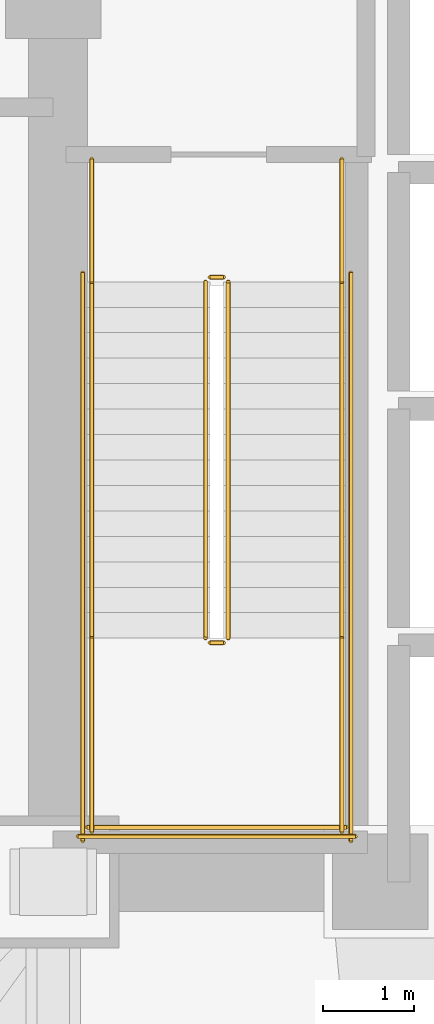
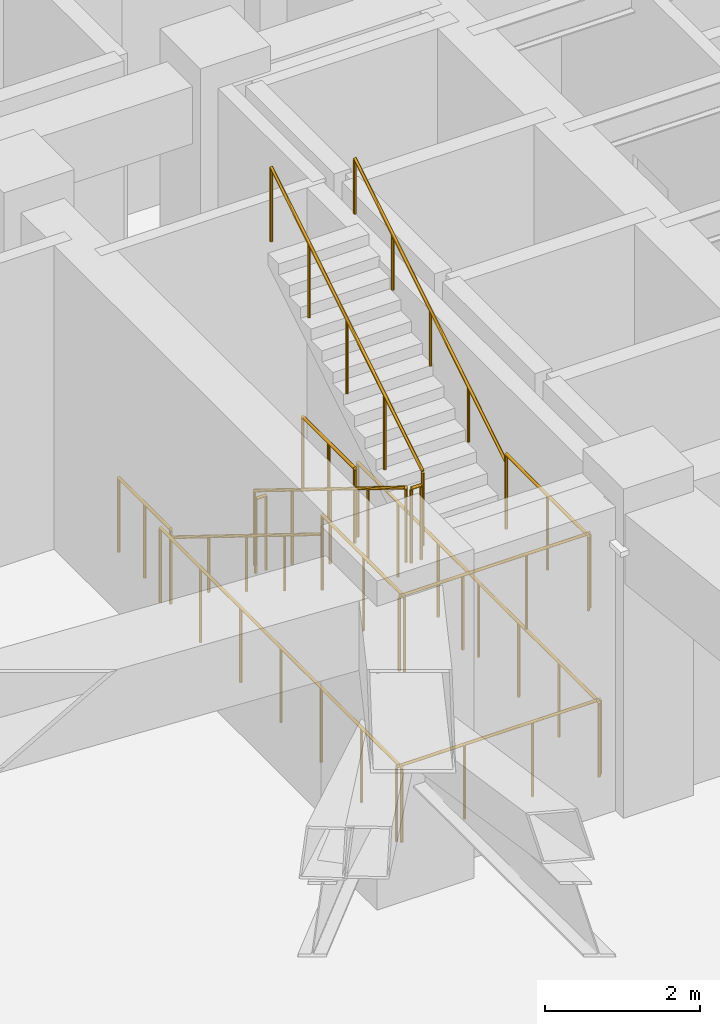
# One storey, part 8 of 9: 14 railings.
"""IFC4 building model written with IfcOpenShell, lengths in metres."""

from ifc_helpers import new_model, si_unit, direction, frame, origin, origin_2d, place, context, subcontext, project, spatial, circle, extrude, material, type_object, element, save


model = new_model("IFC4")

# Units and contexts
model_context = context("Model", 3, precision=1e-05, world=origin(), true_north=direction((0.0, 1.0)))
body_context = subcontext(model_context, "Body", "Model", "MODEL_VIEW")
ifc_project = project(units=[si_unit("LENGTHUNIT", "METRE"), si_unit("AREAUNIT", "SQUARE_METRE"), si_unit("VOLUMEUNIT", "CUBIC_METRE"), si_unit("PLANEANGLEUNIT", "RADIAN"), si_unit("MASSUNIT", "GRAM", prefix="KILO")], contexts=[model_context])

# Site, building, storey
site_placement = place(None, origin())
site = spatial("IfcSite", under=ifc_project, at=site_placement, CompositionType="ELEMENT")
building_placement = place(site_placement, origin())
building = spatial("IfcBuilding", under=site, at=building_placement, Name="Voryun Gate Residences", CompositionType="ELEMENT")
storey_placement = place(building_placement, frame((0.0, 0.0, 80.60009765625)))
storey = spatial("IfcBuildingStorey", under=building, at=storey_placement, Name="L19", CompositionType="ELEMENT", Elevation=80.60009765625)

# Railings
ifc_material_1 = material(Name="Painted steel", Category="steel")
railing_type_1 = type_object("IfcRailingType", Name="RAIL_STAIR_GUARD_1200", PredefinedType="GUARDRAIL", material=ifc_material_1)
railing_1_placement = place(storey_placement, frame((-17.52490234375, -0.800048828125, 0.17333984375)))
element("IfcRailing", 1, at=railing_1_placement, inside=storey, type_object=railing_type_1, Name="L19 ST-W1 stair guard 1", PredefinedType="GUARDRAIL", context=body_context, shape_type="SweptSolid", body=[
    extrude(circle(Radius=0.02392578125, at=origin_2d()), frame((0.0, 0.0, 1.17578125), z_axis=(0.0, -0.850275303828, 0.526338206574), x_axis=(1.0, 0.0, 0.0)), (0.0, 0.0, 1.0), 4.610107421875),
    extrude(circle(Radius=0.02099609375, at=origin_2d()), origin(), (0.0, 0.0, 1.0), 1.15185546875),
    extrude(circle(Radius=0.02099609375, at=origin_2d()), frame((0.0, -0.97998046875, 0.606689453125)), (0.0, 0.0, 1.0), 1.15185546875),
    extrude(circle(Radius=0.02099609375, at=origin_2d()), frame((0.0, -1.9599609375, 1.21337890625)), (0.0, 0.0, 1.0), 1.15185546875),
    extrude(circle(Radius=0.02099609375, at=origin_2d()), frame((0.0, -2.93994140625, 1.81982421875)), (0.0, 0.0, 1.0), 1.15185546875),
    extrude(circle(Radius=0.02099609375, at=origin_2d()), frame((0.0, -3.919921875, 2.426513671875)), (0.0, 0.0, 1.0), 1.15185546875),
])
railing_2_placement = place(storey_placement, frame((-17.47509765625, -4.77001953125, 2.599853515625)))
element("IfcRailing", 2, at=railing_2_placement, inside=storey, type_object=railing_type_1, Name="L19 ST-W1 stair guard 2", PredefinedType="GUARDRAIL", context=body_context, shape_type="SweptSolid", body=[
    extrude(circle(Radius=0.02392578125, at=origin_2d()), frame((0.0, 0.0, 1.17578125), z_axis=(1.0, 0.0, 0.0), x_axis=(0.0, 1.0, 0.0)), (0.0, 0.0, 1.0), 0.150146484375),
    extrude(circle(Radius=0.02099609375, at=origin_2d()), origin(), (0.0, 0.0, 1.0), 1.15185546875),
    extrude(circle(Radius=0.02099609375, at=origin_2d()), frame((0.150146484375, 0.0, 0.0)), (0.0, 0.0, 1.0), 1.15185546875),
])
for number, where, name in (
    (3, (-18.77490234375, -4.719970703125, 2.599853515625), "L19 ST-W1 stair guard 3"),
    (4, (-16.02490234375, -4.719970703125, 2.599853515625), "L19 ST-W1 stair guard 4"),
):
    element("IfcRailing", number, at=place(storey_placement, frame(where)), inside=storey, type_object=railing_type_1, Name=name, PredefinedType="GUARDRAIL", context=body_context, shape_type="SweptSolid", body=[
        extrude(circle(Radius=0.02392578125, at=origin_2d()), frame((0.0, 0.0, 1.17578125), z_axis=(0.0, -1.0, 0.0), x_axis=(1.0, 0.0, 0.0)), (0.0, 0.0, 1.0), 2.130126953125),
        extrude(circle(Radius=0.02099609375, at=origin_2d()), origin(), (0.0, 0.0, 1.0), 1.15185546875),
        extrude(circle(Radius=0.02099609375, at=origin_2d()), frame((0.0, -1.06494140625, 0.0)), (0.0, 0.0, 1.0), 1.15185546875),
        extrude(circle(Radius=0.02099609375, at=origin_2d()), frame((0.0, -2.130126953125, 0.0)), (0.0, 0.0, 1.0), 1.15185546875),
    ])
railing_3_placement = place(storey_placement, frame((-18.824951171875, -6.800048828125, 2.599853515625)))
element("IfcRailing", 5, at=railing_3_placement, inside=storey, type_object=railing_type_1, Name="L19 ST-W1 stair guard 5", PredefinedType="GUARDRAIL", context=body_context, shape_type="SweptSolid", body=[
    extrude(circle(Radius=0.02392578125, at=origin_2d()), frame((0.0, 0.0, 1.17578125), z_axis=(1.0, 0.0, 0.0), x_axis=(0.0, 1.0, 0.0)), (0.0, 0.0, 1.0), 2.849853515625),
    extrude(circle(Radius=0.02099609375, at=origin_2d()), origin(), (0.0, 0.0, 1.0), 1.15185546875),
    extrude(circle(Radius=0.02099609375, at=origin_2d()), frame((0.949951171875, 0.0, 0.0)), (0.0, 0.0, 1.0), 1.15185546875),
    extrude(circle(Radius=0.02099609375, at=origin_2d()), frame((1.89990234375, 0.0, 0.0)), (0.0, 0.0, 1.0), 1.15185546875),
    extrude(circle(Radius=0.02099609375, at=origin_2d()), frame((2.849853515625, 0.0, 0.0)), (0.0, 0.0, 1.0), 1.15185546875),
])
railing_4_placement = place(storey_placement, frame((-17.27490234375, -4.719970703125, 2.773193359375)))
element("IfcRailing", 6, at=railing_4_placement, inside=storey, type_object=railing_type_1, Name="L19 ST-W1 stair guard 6", PredefinedType="GUARDRAIL", context=body_context, shape_type="SweptSolid", body=[
    extrude(circle(Radius=0.02392578125, at=origin_2d()), frame((0.0, 0.0, 1.17578125), z_axis=(0.0, 0.850251603719, 0.526376491091), x_axis=(-1.0, 0.0, 0.0)), (0.0, 0.0, 1.0), 4.6103515625),
    extrude(circle(Radius=0.02099609375, at=origin_2d()), origin(), (0.0, 0.0, 1.0), 1.15185546875),
    extrude(circle(Radius=0.02099609375, at=origin_2d()), frame((0.0, 0.97998046875, 0.606689453125)), (0.0, 0.0, 1.0), 1.15185546875),
    extrude(circle(Radius=0.02099609375, at=origin_2d()), frame((0.0, 1.9599609375, 1.21337890625)), (0.0, 0.0, 1.0), 1.15185546875),
    extrude(circle(Radius=0.02099609375, at=origin_2d()), frame((0.0, 2.93994140625, 1.820068359375)), (0.0, 0.0, 1.0), 1.15185546875),
    extrude(circle(Radius=0.02099609375, at=origin_2d()), frame((0.0, 3.919921875, 2.4267578125)), (0.0, 0.0, 1.0), 1.15185546875),
])
railing_5_placement = place(storey_placement, frame((-17.47509765625, -0.75, 0.0)))
element("IfcRailing", 7, at=railing_5_placement, inside=storey, type_object=railing_type_1, Name="L19 ST-W1 stair guard 7", PredefinedType="GUARDRAIL", context=body_context, shape_type="SweptSolid", body=[
    extrude(circle(Radius=0.02392578125, at=origin_2d()), frame((0.0, 0.0, 1.17578125), z_axis=(1.0, 0.0, 0.0), x_axis=(0.0, 1.0, 0.0)), (0.0, 0.0, 1.0), 0.150146484375),
    extrude(circle(Radius=0.02099609375, at=origin_2d()), origin(), (0.0, 0.0, 1.0), 1.15185546875),
    extrude(circle(Radius=0.02099609375, at=origin_2d()), frame((0.150146484375, 0.0, 0.0)), (0.0, 0.0, 1.0), 1.15185546875),
])
for number, where, name in (
    (8, (-18.77490234375, 0.550048828125, 0.0), "L19 ST-W1 stair guard 8"),
    (9, (-16.02490234375, 0.550048828125, 0.0), "L19 ST-W1 stair guard 9"),
):
    element("IfcRailing", number, at=place(storey_placement, frame(where)), inside=storey, type_object=railing_type_1, Name=name, PredefinedType="GUARDRAIL", context=body_context, shape_type="SweptSolid", body=[
        extrude(circle(Radius=0.02392578125, at=origin_2d()), frame((0.0, 0.0, 1.17578125), z_axis=(0.0, -1.0, 0.0), x_axis=(1.0, 0.0, 0.0)), (0.0, 0.0, 1.0), 1.35009765625),
        extrude(circle(Radius=0.02099609375, at=origin_2d()), origin(), (0.0, 0.0, 1.0), 1.15185546875),
        extrude(circle(Radius=0.02099609375, at=origin_2d()), frame((0.0, -0.675048828125, 0.0)), (0.0, 0.0, 1.0), 1.15185546875),
        extrude(circle(Radius=0.02099609375, at=origin_2d()), frame((0.0, -1.35009765625, 0.0)), (0.0, 0.0, 1.0), 1.15185546875),
    ])
for number, where, name in (
    (10, (-18.875, -0.699951171875, 0.0), "L19 ST-W1 stair guard 10"),
    (11, (-15.925048828125, -0.699951171875, 0.0), "L19 ST-W1 stair guard 11"),
):
    element("IfcRailing", number, at=place(storey_placement, frame(where)), inside=storey, type_object=railing_type_1, Name=name, PredefinedType="GUARDRAIL", context=body_context, shape_type="SweptSolid", body=[
        extrude(circle(Radius=0.02392578125, at=origin_2d()), frame((0.0, 0.0, 1.17578125), z_axis=(0.0, -1.0, 0.0), x_axis=(1.0, 0.0, 0.0)), (0.0, 0.0, 1.0), 6.25),
        extrude(circle(Radius=0.02099609375, at=origin_2d()), origin(), (0.0, 0.0, 1.0), 1.15185546875),
        extrude(circle(Radius=0.02099609375, at=origin_2d()), frame((0.0, -1.041748046875, 0.0)), (0.0, 0.0, 1.0), 1.15185546875),
        extrude(circle(Radius=0.02099609375, at=origin_2d()), frame((0.0, -2.083251953125, 0.0)), (0.0, 0.0, 1.0), 1.15185546875),
        extrude(circle(Radius=0.02099609375, at=origin_2d()), frame((0.0, -3.125, 0.0)), (0.0, 0.0, 1.0), 1.15185546875),
        extrude(circle(Radius=0.02099609375, at=origin_2d()), frame((0.0, -4.166748046875, 0.0)), (0.0, 0.0, 1.0), 1.15185546875),
        extrude(circle(Radius=0.02099609375, at=origin_2d()), frame((0.0, -5.208251953125, 0.0)), (0.0, 0.0, 1.0), 1.15185546875),
        extrude(circle(Radius=0.02099609375, at=origin_2d()), frame((0.0, -6.25, 0.0)), (0.0, 0.0, 1.0), 1.15185546875),
    ])
railing_6_placement = place(storey_placement, frame((-18.925048828125, -6.89990234375, 0.0)))
element("IfcRailing", 12, at=railing_6_placement, inside=storey, type_object=railing_type_1, Name="L19 ST-W1 stair guard 12", PredefinedType="GUARDRAIL", context=body_context, shape_type="SweptSolid", body=[
    extrude(circle(Radius=0.02392578125, at=origin_2d()), frame((0.0, 0.0, 1.17578125), z_axis=(1.0, 0.0, 0.0), x_axis=(0.0, 1.0, 0.0)), (0.0, 0.0, 1.0), 3.050048828125),
    extrude(circle(Radius=0.02099609375, at=origin_2d()), origin(), (0.0, 0.0, 1.0), 1.15185546875),
    extrude(circle(Radius=0.02099609375, at=origin_2d()), frame((1.0166015625, 0.0, 0.0)), (0.0, 0.0, 1.0), 1.15185546875),
    extrude(circle(Radius=0.02099609375, at=origin_2d()), frame((2.033447265625, 0.0, 0.0)), (0.0, 0.0, 1.0), 1.15185546875),
    extrude(circle(Radius=0.02099609375, at=origin_2d()), frame((3.050048828125, 0.0, 0.0)), (0.0, 0.0, 1.0), 1.15185546875),
])
ifc_material_2 = material(Name="Painted steel", Category="steel")
railing_type_2 = type_object("IfcRailingType", Name="RAIL_STAIR_HANDRAIL_900", PredefinedType="HANDRAIL", material=ifc_material_2)
railing_7_placement = place(storey_placement, frame((-18.77490234375, -0.800048828125, 0.17333984375)))
element("IfcRailing", 13, at=railing_7_placement, inside=storey, type_object=railing_type_2, Name="L19 ST-W1 stair handrail 1", PredefinedType="HANDRAIL", context=body_context, shape_type="SweptSolid", body=[
    extrude(circle(Radius=0.02392578125, at=origin_2d()), frame((0.0, 0.0, 0.8759765625), z_axis=(0.0, -0.850275303828, 0.526338206574), x_axis=(1.0, 0.0, 0.0)), (0.0, 0.0, 1.0), 4.610107421875),
    extrude(circle(Radius=0.02099609375, at=origin_2d()), origin(), (0.0, 0.0, 1.0), 0.851806640625),
    extrude(circle(Radius=0.02099609375, at=origin_2d()), frame((0.0, -0.97998046875, 0.606689453125)), (0.0, 0.0, 1.0), 0.851806640625),
    extrude(circle(Radius=0.02099609375, at=origin_2d()), frame((0.0, -1.9599609375, 1.21337890625)), (0.0, 0.0, 1.0), 0.851806640625),
    extrude(circle(Radius=0.02099609375, at=origin_2d()), frame((0.0, -2.93994140625, 1.81982421875)), (0.0, 0.0, 1.0), 0.851806640625),
    extrude(circle(Radius=0.02099609375, at=origin_2d()), frame((0.0, -3.919921875, 2.426513671875)), (0.0, 0.0, 1.0), 0.851806640625),
])
railing_8_placement = place(storey_placement, frame((-16.02490234375, -4.719970703125, 2.773193359375)))
element("IfcRailing", 14, at=railing_8_placement, inside=storey, type_object=railing_type_2, Name="L19 ST-W1 stair handrail 2", PredefinedType="HANDRAIL", context=body_context, shape_type="SweptSolid", body=[
    extrude(circle(Radius=0.02392578125, at=origin_2d()), frame((0.0, 0.0, 0.8759765625), z_axis=(0.0, 0.850251603719, 0.526376491091), x_axis=(-1.0, 0.0, 0.0)), (0.0, 0.0, 1.0), 4.6103515625),
    extrude(circle(Radius=0.02099609375, at=origin_2d()), origin(), (0.0, 0.0, 1.0), 0.851806640625),
    extrude(circle(Radius=0.02099609375, at=origin_2d()), frame((0.0, 0.97998046875, 0.606689453125)), (0.0, 0.0, 1.0), 0.851806640625),
    extrude(circle(Radius=0.02099609375, at=origin_2d()), frame((0.0, 1.9599609375, 1.21337890625)), (0.0, 0.0, 1.0), 0.851806640625),
    extrude(circle(Radius=0.02099609375, at=origin_2d()), frame((0.0, 2.93994140625, 1.820068359375)), (0.0, 0.0, 1.0), 0.851806640625),
    extrude(circle(Radius=0.02099609375, at=origin_2d()), frame((0.0, 3.919921875, 2.4267578125)), (0.0, 0.0, 1.0), 0.851806640625),
])

save(model, "model.ifc")
